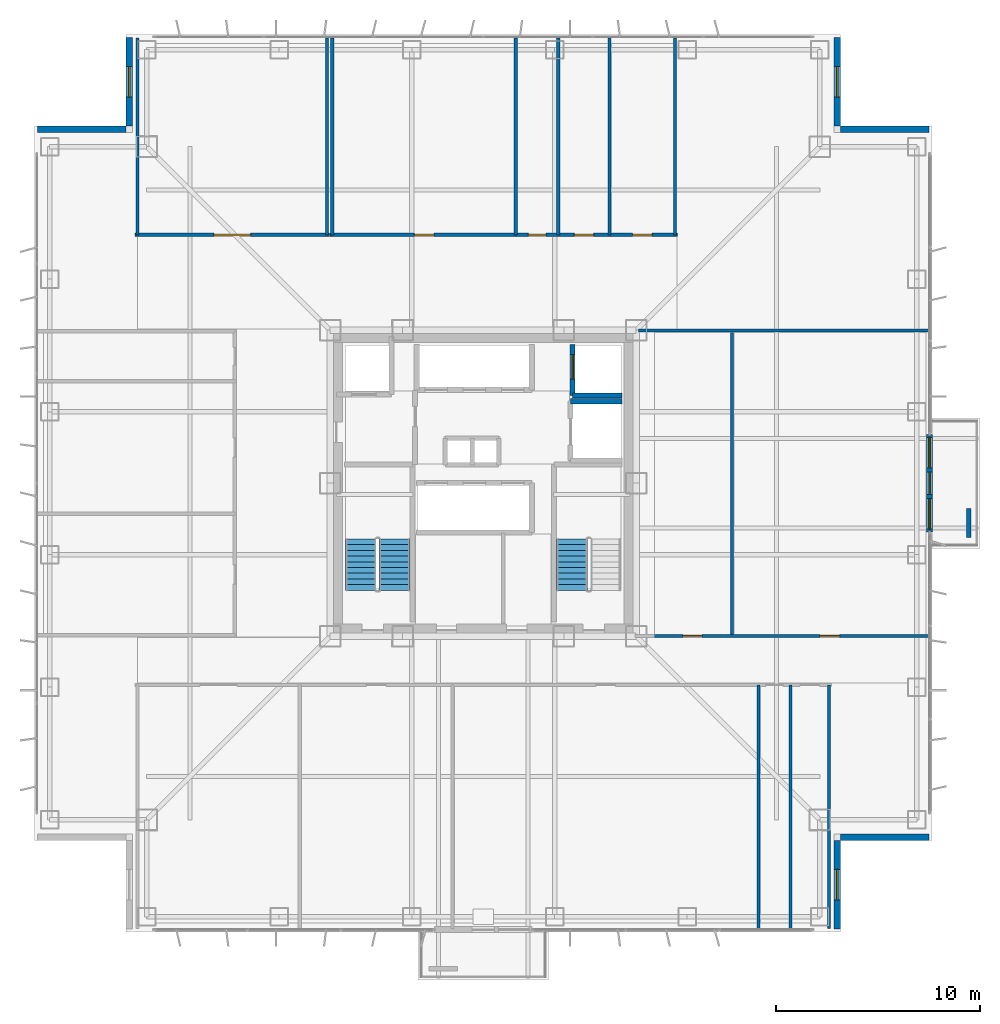
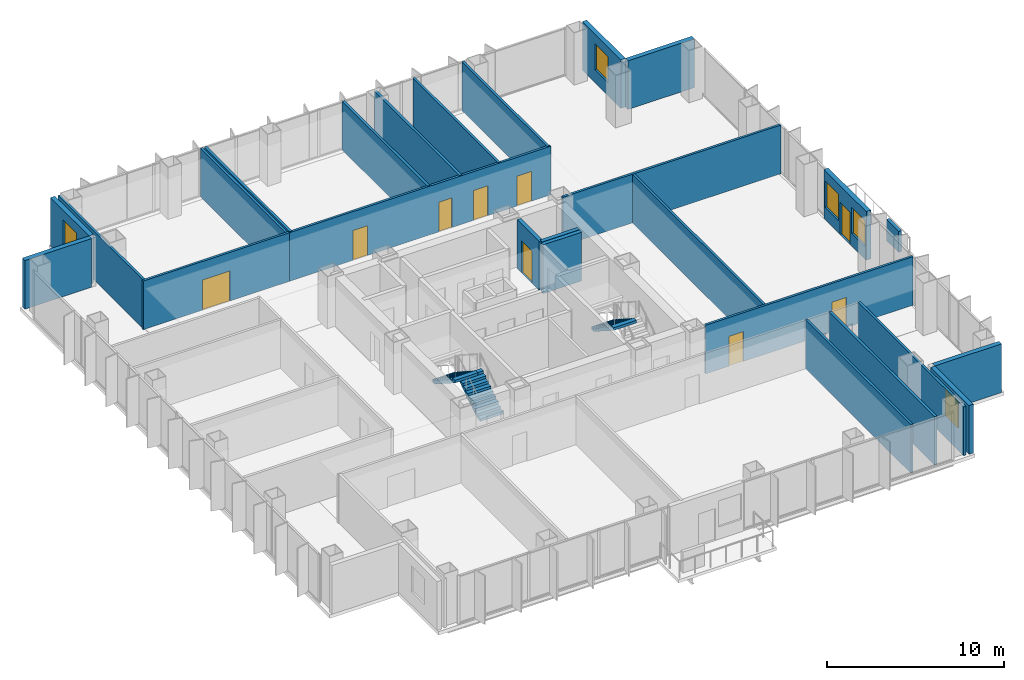
# One storey, part 14 of 18: 26 walls, 9 doors, 5 windows, 3 stair flights, 14 openings, 2 elements without a shape of their own.
"""IFC4 building model written with IfcOpenShell, lengths in metres."""

from ifc_helpers import new_model, si_unit, direction, frame, frame_2d, origin, place, context, subcontext, project, spatial, polyline, rectangle, outline, extrude, material, layer, layer_set, type_object, element, fill, aggregate, save


model = new_model("IFC4")

# Units and contexts
model_context = context("Model", 3, precision=1e-05, world=origin(), true_north=direction((0.0, 1.0)))
body_context = subcontext(model_context, "Body", "Model", "MODEL_VIEW")
ifc_project = project(units=[si_unit("LENGTHUNIT", "METRE"), si_unit("AREAUNIT", "SQUARE_METRE"), si_unit("VOLUMEUNIT", "CUBIC_METRE"), si_unit("PLANEANGLEUNIT", "RADIAN"), si_unit("MASSUNIT", "GRAM", prefix="KILO")], contexts=[model_context])

# Site, building, storey
site_placement = place(None, origin())
site = spatial("IfcSite", under=ifc_project, at=site_placement, CompositionType="ELEMENT")
building_placement = place(site_placement, origin())
building = spatial("IfcBuilding", under=site, at=building_placement, Name="Trevonay Congress Spire", CompositionType="ELEMENT")
storey_placement = place(building_placement, frame((0.0, 0.0, 104.800048828125)))
storey = spatial("IfcBuildingStorey", under=building, at=storey_placement, Name="L26", CompositionType="ELEMENT", Elevation=104.800048828125)

# Wall, opening, door
ifc_material_1 = material(Name="Concrete C40/50", Category="concrete")
ifc_layer_1 = layer(ifc_material_1, 0.14990234375, Name="Concrete C40/50")
ifc_layer_set_1 = layer_set([ifc_layer_1], Name="Concrete C40/50")
wall_type_1 = type_object("IfcWallType", Name="WAL-CORR-150", PredefinedType="PARTITIONING", material=ifc_layer_set_1)
wall_1_placement = place(storey_placement, frame((-17.070068359375, 12.179931640625, 0.0), z_axis=(0.0, 0.0, 1.0), x_axis=(1.0, 0.0, 0.0)))
wall_1 = element("IfcWall", 1, at=wall_1_placement, inside=storey, type_object=wall_type_1, Name="L26 interior wall WP-L26NW-COR", PredefinedType="PARTITIONING", context=body_context, shape_type="SweptSolid", body=[
    extrude(rectangle(XDim=9.5400390625, YDim=0.14990234375, at=frame_2d((4.77001953125, 0.0))), origin(), (0.0, 0.0, 1.0), 3.35986328125),
])
opening_1_placement = place(wall_1_placement, frame((3.8701171875, 0.0, 0.0)))
opening_1 = element("IfcOpeningElement", 2, at=opening_1_placement, cuts=wall_1, Name="Opening D09", PredefinedType="OPENING", context=body_context, shape_type="SweptSolid", body=[
    extrude(rectangle(XDim=1.800048828125, YDim=2.080078125, at=frame_2d((0.89990234375, 1.0400390625))), frame((0.0, 0.0849609375, 0.0), z_axis=(0.0, -1.0, 0.0), x_axis=(1.0, 0.0, 0.0)), (0.0, 0.0, 1.0), 0.169921875),
])
ifc_material_2 = material(Name="Pale Anodised Aluminium EN AW-6063-T6", Category="aluminium")
door_type_1 = type_object("IfcDoorType", Name="DOR-CONF-DBL", OperationType="DOUBLE_DOOR_SINGLE_SWING", PredefinedType="DOOR", material=ifc_material_2)
door_1_placement = place(opening_1_placement, origin())
door_1 = element("IfcDoor", 3, at=door_1_placement, inside=storey, type_object=door_type_1, Name="L26 Treaty Seminar Salon North-West Door", OperationType="DOUBLE_DOOR_SINGLE_SWING", OverallHeight=2.080078125, OverallWidth=1.800048828125, PredefinedType="DOOR", context=body_context, shape_type="SweptSolid", body=[
    extrude(rectangle(XDim=1.800048828125, YDim=2.080078125, at=frame_2d((0.89990234375, 1.0400390625))), frame((0.0, 0.02490234375, 0.0), z_axis=(0.0, -1.0, 0.0), x_axis=(1.0, 0.0, 0.0)), (0.0, 0.0, 1.0), 0.050048828125),
])
fill(opening_1, door_1)

# Wall, openings, doors
wall_2_placement = place(storey_placement, frame((-7.52001953125, 12.179931640625, 0.0), z_axis=(0.0, 0.0, 1.0), x_axis=(1.0, 0.0, 0.0)))
wall_2 = element("IfcWall", 4, at=wall_2_placement, inside=storey, type_object=wall_type_1, Name="L26 interior wall WP-L26NE-COR", PredefinedType="PARTITIONING", context=body_context, shape_type="SweptSolid", body=[
    extrude(rectangle(XDim=17.0400390625, YDim=0.14990234375, at=frame_2d((8.52001953125, 0.0))), origin(), (0.0, 0.0, 1.0), 3.35986328125),
])
opening_2_placement = place(wall_2_placement, frame((4.14501953125, 0.0, 0.0)))
opening_2 = element("IfcOpeningElement", 5, at=opening_2_placement, cuts=wall_2, Name="Opening D07", PredefinedType="OPENING", context=body_context, shape_type="SweptSolid", body=[
    extrude(rectangle(XDim=0.949951171875, YDim=2.06005859375, at=frame_2d((0.47509765625, 1.030029296875))), frame((0.0, 0.0849609375, 0.0), z_axis=(0.0, -1.0, 0.0), x_axis=(1.0, 0.0, 0.0)), (0.0, 0.0, 1.0), 0.169921875),
])
opening_3_placement = place(wall_2_placement, frame((9.735107421875, 0.0, 0.0)))
opening_3 = element("IfcOpeningElement", 6, at=opening_3_placement, cuts=wall_2, Name="Opening D10", PredefinedType="OPENING", context=body_context, shape_type="SweptSolid", body=[
    extrude(rectangle(XDim=0.85009765625, YDim=2.050048828125, at=frame_2d((0.425048828125, 1.02490234375))), frame((0.0, 0.0849609375, 0.0), z_axis=(0.0, -1.0, 0.0), x_axis=(1.0, 0.0, 0.0)), (0.0, 0.0, 1.0), 0.169921875),
])
opening_4_placement = place(wall_2_placement, frame((11.985107421875, 0.0, 0.0)))
opening_4 = element("IfcOpeningElement", 7, at=opening_4_placement, cuts=wall_2, Name="Opening D07", PredefinedType="OPENING", context=body_context, shape_type="SweptSolid", body=[
    extrude(rectangle(XDim=0.949951171875, YDim=2.06005859375, at=frame_2d((0.47509765625, 1.030029296875))), frame((0.0, 0.0849609375, 0.0), z_axis=(0.0, -1.0, 0.0), x_axis=(1.0, 0.0, 0.0)), (0.0, 0.0, 1.0), 0.169921875),
])
opening_5_placement = place(wall_2_placement, frame((14.844970703125, 0.0, 0.0)))
opening_5 = element("IfcOpeningElement", 8, at=opening_5_placement, cuts=wall_2, Name="Opening D07", PredefinedType="OPENING", context=body_context, shape_type="SweptSolid", body=[
    extrude(rectangle(XDim=0.949951171875, YDim=2.06005859375, at=frame_2d((0.47509765625, 1.030029296875))), frame((0.0, 0.0849609375, 0.0), z_axis=(0.0, -1.0, 0.0), x_axis=(1.0, 0.0, 0.0)), (0.0, 0.0, 1.0), 0.169921875),
])
door_type_2 = type_object("IfcDoorType", Name="DOR-OFFICE-95", OperationType="NOTDEFINED", PredefinedType="DOOR", material=ifc_material_2)
door_2_placement = place(opening_2_placement, origin())
door_2 = element("IfcDoor", 9, at=door_2_placement, inside=storey, type_object=door_type_2, Name="L26 North-East Policy Research Studio Door", OperationType="SINGLE_SWING_LEFT", OverallHeight=2.06005859375, OverallWidth=0.949951171875, PredefinedType="DOOR", context=body_context, shape_type="SweptSolid", body=[
    extrude(rectangle(XDim=0.949951171875, YDim=2.06005859375, at=frame_2d((0.47509765625, 1.030029296875))), frame((0.0, 0.02490234375, 0.0), z_axis=(0.0, -1.0, 0.0), x_axis=(1.0, 0.0, 0.0)), (0.0, 0.0, 1.0), 0.050048828125),
])
fill(opening_2, door_2)
door_3_placement = place(opening_4_placement, origin())
door_3 = element("IfcDoor", 10, at=door_3_placement, inside=storey, type_object=door_type_2, Name="L26 Floor Supplies and Copy Room Door", OperationType="SINGLE_SWING_LEFT", OverallHeight=2.06005859375, OverallWidth=0.949951171875, PredefinedType="DOOR", context=body_context, shape_type="SweptSolid", body=[
    extrude(rectangle(XDim=0.949951171875, YDim=2.06005859375, at=frame_2d((0.47509765625, 1.030029296875))), frame((0.0, 0.02490234375, 0.0), z_axis=(0.0, -1.0, 0.0), x_axis=(1.0, 0.0, 0.0)), (0.0, 0.0, 1.0), 0.050048828125),
])
fill(opening_4, door_3)
door_4_placement = place(opening_5_placement, origin())
door_4 = element("IfcDoor", 11, at=door_4_placement, inside=storey, type_object=door_type_2, Name="L26 Tea Pantry Door", OperationType="SINGLE_SWING_RIGHT", OverallHeight=2.06005859375, OverallWidth=0.949951171875, PredefinedType="DOOR", context=body_context, shape_type="SweptSolid", body=[
    extrude(rectangle(XDim=0.949951171875, YDim=2.06005859375, at=frame_2d((0.47509765625, 1.030029296875))), frame((0.0, 0.02490234375, 0.0), z_axis=(0.0, -1.0, 0.0), x_axis=(1.0, 0.0, 0.0)), (0.0, 0.0, 1.0), 0.050048828125),
])
fill(opening_5, door_4)
door_type_3 = type_object("IfcDoorType", Name="DOR-WC-85", OperationType="NOTDEFINED", PredefinedType="DOOR", material=ifc_material_2)
door_5_placement = place(opening_3_placement, origin())
door_5 = element("IfcDoor", 12, at=door_5_placement, inside=storey, type_object=door_type_3, Name="L26 Female Restroom WC Door", OperationType="SINGLE_SWING_RIGHT", OverallHeight=2.050048828125, OverallWidth=0.85009765625, PredefinedType="DOOR", context=body_context, shape_type="SweptSolid", body=[
    extrude(rectangle(XDim=0.85009765625, YDim=2.050048828125, at=frame_2d((0.425048828125, 1.02490234375))), frame((0.0, 0.02490234375, 0.0), z_axis=(0.0, -1.0, 0.0), x_axis=(1.0, 0.0, 0.0)), (0.0, 0.0, 1.0), 0.050048828125),
])
fill(opening_3, door_5)

wall_3_placement = place(storey_placement, frame((8.280029296875, -7.47998046875, 0.0), z_axis=(0.0, 0.0, 1.0), x_axis=(1.0, 0.0, 0.0)))
wall_3 = element("IfcWall", 13, at=wall_3_placement, inside=storey, type_object=wall_type_1, Name="L26 interior wall WP-L26E-COR", PredefinedType="PARTITIONING", context=body_context, shape_type="SweptSolid", body=[
    extrude(rectangle(XDim=13.5400390625, YDim=0.14990234375, at=frame_2d((6.77001953125, 0.0))), origin(), (0.0, 0.0, 1.0), 3.35986328125),
])
opening_6_placement = place(wall_3_placement, frame((1.5048828125, 0.0, 0.0)))
opening_6 = element("IfcOpeningElement", 14, at=opening_6_placement, cuts=wall_3, Name="Opening D07", PredefinedType="OPENING", context=body_context, shape_type="SweptSolid", body=[
    extrude(rectangle(XDim=0.949951171875, YDim=2.06005859375, at=frame_2d((0.47509765625, 1.030029296875))), frame((0.0, 0.0849609375, 0.0), z_axis=(0.0, -1.0, 0.0), x_axis=(1.0, 0.0, 0.0)), (0.0, 0.0, 1.0), 0.169921875),
])
opening_7_placement = place(wall_3_placement, frame((8.235107421875, 0.0, 0.0)))
opening_7 = element("IfcOpeningElement", 15, at=opening_7_placement, cuts=wall_3, Name="Opening D07", PredefinedType="OPENING", context=body_context, shape_type="SweptSolid", body=[
    extrude(rectangle(XDim=0.949951171875, YDim=2.06005859375, at=frame_2d((0.47509765625, 1.030029296875))), frame((0.0, 0.0849609375, 0.0), z_axis=(0.0, -1.0, 0.0), x_axis=(1.0, 0.0, 0.0)), (0.0, 0.0, 1.0), 0.169921875),
])
door_6_placement = place(opening_6_placement, origin())
door_6 = element("IfcDoor", 16, at=door_6_placement, inside=storey, type_object=door_type_2, Name="L26 East Briefing Office Door", OperationType="SINGLE_SWING_LEFT", OverallHeight=2.06005859375, OverallWidth=0.949951171875, PredefinedType="DOOR", context=body_context, shape_type="SweptSolid", body=[
    extrude(rectangle(XDim=0.949951171875, YDim=2.06005859375, at=frame_2d((0.47509765625, 1.030029296875))), frame((0.0, 0.02490234375, 0.0), z_axis=(0.0, -1.0, 0.0), x_axis=(1.0, 0.0, 0.0)), (0.0, 0.0, 1.0), 0.050048828125),
])
fill(opening_6, door_6)
door_7_placement = place(opening_7_placement, origin())
door_7 = element("IfcDoor", 17, at=door_7_placement, inside=storey, type_object=door_type_2, Name="L26 Archive Copy Room Door", OperationType="SINGLE_SWING_RIGHT", OverallHeight=2.06005859375, OverallWidth=0.949951171875, PredefinedType="DOOR", context=body_context, shape_type="SweptSolid", body=[
    extrude(rectangle(XDim=0.949951171875, YDim=2.06005859375, at=frame_2d((0.47509765625, 1.030029296875))), frame((0.0, 0.02490234375, 0.0), z_axis=(0.0, -1.0, 0.0), x_axis=(1.0, 0.0, 0.0)), (0.0, 0.0, 1.0), 0.050048828125),
])
fill(opening_7, door_7)

# Wall, openings, door, windows
ifc_material_3 = material(Name="Precast concrete C40/50", Category="concrete")
ifc_layer_2 = layer(ifc_material_3, 0.300048828125, Name="Precast concrete C40/50")
ifc_layer_set_2 = layer_set([ifc_layer_2], Name="Precast concrete C40/50")
wall_type_2 = type_object("IfcWallType", Name="WAL-EXT-PRECAST-300", PredefinedType="SOLIDWALL", material=ifc_layer_set_2)
wall_4_placement = place(storey_placement, frame((21.8798828125, -2.39990234375, 0.0), z_axis=(0.0, 0.0, 1.0), x_axis=(0.0, 1.0, 0.0)))
wall_4 = element("IfcWall", 18, at=wall_4_placement, inside=storey, type_object=wall_type_2, Name="L26 E glazed balcony portal exterior wall", PredefinedType="SOLIDWALL", context=body_context, shape_type="SweptSolid", body=[
    extrude(rectangle(XDim=4.7998046875, YDim=0.300048828125, at=frame_2d((2.39990234375, 0.0))), origin(), (0.0, 0.0, 1.0), 3.35986328125),
])
opening_8_placement = place(wall_4_placement, frame((1.85009765625, 0.0, 0.0)))
opening_8 = element("IfcOpeningElement", 19, at=opening_8_placement, cuts=wall_4, Name="Opening D03", PredefinedType="OPENING", context=body_context, shape_type="SweptSolid", body=[
    extrude(rectangle(XDim=1.10009765625, YDim=2.199951171875, at=frame_2d((0.550048828125, 1.10009765625))), frame((0.0, 0.16015625, 0.0), z_axis=(0.0, -1.0, 0.0), x_axis=(1.0, 0.0, 0.0)), (0.0, 0.0, 1.0), 0.320068359375),
])
opening_9_placement = place(wall_4_placement, frame((0.14990234375, 0.0, 0.85009765625)))
opening_9 = element("IfcOpeningElement", 20, at=opening_9_placement, cuts=wall_4, Name="Opening WN03", PredefinedType="OPENING", context=body_context, shape_type="SweptSolid", body=[
    extrude(rectangle(XDim=1.5, YDim=1.800048828125, at=frame_2d((0.75, 0.89990234375))), frame((0.0, 0.16015625, 0.0), z_axis=(0.0, -1.0, 0.0), x_axis=(1.0, 0.0, 0.0)), (0.0, 0.0, 1.0), 0.320068359375),
])
opening_10_placement = place(wall_4_placement, frame((3.14990234375, 0.0, 0.85009765625)))
opening_10 = element("IfcOpeningElement", 21, at=opening_10_placement, cuts=wall_4, Name="Opening WN03", PredefinedType="OPENING", context=body_context, shape_type="SweptSolid", body=[
    extrude(rectangle(XDim=1.5, YDim=1.800048828125, at=frame_2d((0.75, 0.89990234375))), frame((0.0, 0.16015625, 0.0), z_axis=(0.0, -1.0, 0.0), x_axis=(1.0, 0.0, 0.0)), (0.0, 0.0, 1.0), 0.320068359375),
])
door_type_4 = type_object("IfcDoorType", Name="DOR-EXT-BAL-110", OperationType="NOTDEFINED", PredefinedType="DOOR", material=ifc_material_2)
door_8_placement = place(opening_8_placement, origin())
door_8 = element("IfcDoor", 22, at=door_8_placement, inside=storey, type_object=door_type_4, Name="L26 E glazed outdoor terrace and balcony door", OperationType="SINGLE_SWING_RIGHT", OverallHeight=2.199951171875, OverallWidth=1.10009765625, PredefinedType="DOOR", context=body_context, shape_type="SweptSolid", body=[
    extrude(rectangle(XDim=1.10009765625, YDim=2.199951171875, at=frame_2d((0.550048828125, 1.10009765625))), frame((0.0, 0.02490234375, 0.0), z_axis=(0.0, -1.0, 0.0), x_axis=(1.0, 0.0, 0.0)), (0.0, 0.0, 1.0), 0.050048828125),
])
fill(opening_8, door_8)
ifc_material_4 = material(Name="Insulated Low-E Vision Glass IGU", Category="glass")
window_type = type_object("IfcWindowType", Name="WIN-NOTCH-150X180", PartitioningType="SINGLE_PANEL", PredefinedType="WINDOW", material=ifc_material_4)
window_1_placement = place(opening_9_placement, origin())
window_1 = element("IfcWindow", 23, at=window_1_placement, inside=storey, type_object=window_type, Name="L26 E balcony sidelight window L", OverallHeight=1.800048828125, OverallWidth=1.5, PartitioningType="SINGLE_PANEL", PredefinedType="WINDOW", context=body_context, shape_type="SweptSolid", body=[
    extrude(rectangle(XDim=1.5, YDim=1.800048828125, at=frame_2d((0.75, 0.89990234375))), frame((0.0, 0.030029296875, 0.0), z_axis=(0.0, -1.0, 0.0), x_axis=(1.0, 0.0, 0.0)), (0.0, 0.0, 1.0), 0.06005859375),
])
fill(opening_9, window_1)
window_2_placement = place(opening_10_placement, origin())
window_2 = element("IfcWindow", 24, at=window_2_placement, inside=storey, type_object=window_type, Name="L26 E balcony sidelight window R", OverallHeight=1.800048828125, OverallWidth=1.5, PartitioningType="SINGLE_PANEL", PredefinedType="WINDOW", context=body_context, shape_type="SweptSolid", body=[
    extrude(rectangle(XDim=1.5, YDim=1.800048828125, at=frame_2d((0.75, 0.89990234375))), frame((0.0, 0.030029296875, 0.0), z_axis=(0.0, -1.0, 0.0), x_axis=(1.0, 0.0, 0.0)), (0.0, 0.0, 1.0), 0.06005859375),
])
fill(opening_10, window_2)

# Wall, opening, window
wall_5_placement = place(storey_placement, frame((17.35009765625, -21.85009765625, 0.0), z_axis=(0.0, 0.0, 1.0), x_axis=(0.0, 1.0, 0.0)))
wall_5 = element("IfcWall", 25, at=wall_5_placement, inside=storey, type_object=wall_type_2, Name="L26 SE re-entrant notch exterior wall 1", PredefinedType="SOLIDWALL", context=body_context, shape_type="SweptSolid", body=[
    extrude(rectangle(XDim=4.35009765625, YDim=0.300048828125, at=frame_2d((2.175048828125, 0.0))), origin(), (0.0, 0.0, 1.0), 3.35986328125),
])
opening_11_placement = place(wall_5_placement, frame((1.425048828125, 0.0, 0.89990234375)))
opening_11 = element("IfcOpeningElement", 26, at=opening_11_placement, cuts=wall_5, Name="Opening WN03", PredefinedType="OPENING", context=body_context, shape_type="SweptSolid", body=[
    extrude(rectangle(XDim=1.5, YDim=1.800048828125, at=frame_2d((0.75, 0.89990234375))), frame((0.0, 0.16015625, 0.0), z_axis=(0.0, -1.0, 0.0), x_axis=(1.0, 0.0, 0.0)), (0.0, 0.0, 1.0), 0.320068359375),
])
window_3_placement = place(opening_11_placement, origin())
window_3 = element("IfcWindow", 27, at=window_3_placement, inside=storey, type_object=window_type, Name="L26 SE corner notch window", OverallHeight=1.800048828125, OverallWidth=1.5, PartitioningType="SINGLE_PANEL", PredefinedType="WINDOW", context=body_context, shape_type="SweptSolid", body=[
    extrude(rectangle(XDim=1.5, YDim=1.800048828125, at=frame_2d((0.75, 0.89990234375))), frame((0.0, 0.030029296875, 0.0), z_axis=(0.0, -1.0, 0.0), x_axis=(1.0, 0.0, 0.0)), (0.0, 0.0, 1.0), 0.06005859375),
])
fill(opening_11, window_3)

# Wall
wall_6_placement = place(storey_placement, frame((21.85009765625, -17.35009765625, 0.0), z_axis=(0.0, 0.0, 1.0), x_axis=(-1.0, 0.0, 0.0)))
element("IfcWall", 28, at=wall_6_placement, inside=storey, type_object=wall_type_2, Name="L26 SE re-entrant notch exterior wall 2", PredefinedType="SOLIDWALL", context=body_context, shape_type="SweptSolid", body=[
    extrude(rectangle(XDim=4.35009765625, YDim=0.300048828125, at=frame_2d((2.175048828125, 0.0))), origin(), (0.0, 0.0, 1.0), 3.35986328125),
])

# Wall, opening, window
wall_7_placement = place(storey_placement, frame((17.35009765625, 21.85009765625, 0.0), z_axis=(0.0, 0.0, 1.0), x_axis=(0.0, -1.0, 0.0)))
wall_7 = element("IfcWall", 29, at=wall_7_placement, inside=storey, type_object=wall_type_2, Name="L26 NE re-entrant notch exterior wall 1", PredefinedType="SOLIDWALL", context=body_context, shape_type="SweptSolid", body=[
    extrude(rectangle(XDim=4.35009765625, YDim=0.300048828125, at=frame_2d((2.175048828125, 0.0))), origin(), (0.0, 0.0, 1.0), 3.35986328125),
])
opening_12_placement = place(wall_7_placement, frame((1.425048828125, 0.0, 0.89990234375)))
opening_12 = element("IfcOpeningElement", 30, at=opening_12_placement, cuts=wall_7, Name="Opening WN03", PredefinedType="OPENING", context=body_context, shape_type="SweptSolid", body=[
    extrude(rectangle(XDim=1.5, YDim=1.800048828125, at=frame_2d((0.75, 0.89990234375))), frame((0.0, 0.16015625, 0.0), z_axis=(0.0, -1.0, 0.0), x_axis=(1.0, 0.0, 0.0)), (0.0, 0.0, 1.0), 0.320068359375),
])
window_4_placement = place(opening_12_placement, origin())
window_4 = element("IfcWindow", 31, at=window_4_placement, inside=storey, type_object=window_type, Name="L26 NE corner notch window", OverallHeight=1.800048828125, OverallWidth=1.5, PartitioningType="SINGLE_PANEL", PredefinedType="WINDOW", context=body_context, shape_type="SweptSolid", body=[
    extrude(rectangle(XDim=1.5, YDim=1.800048828125, at=frame_2d((0.75, 0.89990234375))), frame((0.0, 0.030029296875, 0.0), z_axis=(0.0, -1.0, 0.0), x_axis=(1.0, 0.0, 0.0)), (0.0, 0.0, 1.0), 0.06005859375),
])
fill(opening_12, window_4)

# Wall
wall_8_placement = place(storey_placement, frame((21.85009765625, 17.35009765625, 0.0), z_axis=(0.0, 0.0, 1.0), x_axis=(-1.0, 0.0, 0.0)))
element("IfcWall", 32, at=wall_8_placement, inside=storey, type_object=wall_type_2, Name="L26 NE re-entrant notch exterior wall 2", PredefinedType="SOLIDWALL", context=body_context, shape_type="SweptSolid", body=[
    extrude(rectangle(XDim=4.35009765625, YDim=0.300048828125, at=frame_2d((2.175048828125, 0.0))), origin(), (0.0, 0.0, 1.0), 3.35986328125),
])

# Wall, opening, window
wall_9_placement = place(storey_placement, frame((-17.35009765625, 21.85009765625, 0.0), z_axis=(0.0, 0.0, 1.0), x_axis=(0.0, -1.0, 0.0)))
wall_9 = element("IfcWall", 33, at=wall_9_placement, inside=storey, type_object=wall_type_2, Name="L26 NW re-entrant notch exterior wall 1", PredefinedType="SOLIDWALL", context=body_context, shape_type="SweptSolid", body=[
    extrude(rectangle(XDim=4.35009765625, YDim=0.300048828125, at=frame_2d((2.175048828125, 0.0))), origin(), (0.0, 0.0, 1.0), 3.35986328125),
])
opening_13_placement = place(wall_9_placement, frame((1.425048828125, 0.0, 0.89990234375)))
opening_13 = element("IfcOpeningElement", 34, at=opening_13_placement, cuts=wall_9, Name="Opening WN03", PredefinedType="OPENING", context=body_context, shape_type="SweptSolid", body=[
    extrude(rectangle(XDim=1.5, YDim=1.800048828125, at=frame_2d((0.75, 0.89990234375))), frame((0.0, 0.16015625, 0.0), z_axis=(0.0, -1.0, 0.0), x_axis=(1.0, 0.0, 0.0)), (0.0, 0.0, 1.0), 0.320068359375),
])
window_5_placement = place(opening_13_placement, origin())
window_5 = element("IfcWindow", 35, at=window_5_placement, inside=storey, type_object=window_type, Name="L26 NW corner notch window", OverallHeight=1.800048828125, OverallWidth=1.5, PartitioningType="SINGLE_PANEL", PredefinedType="WINDOW", context=body_context, shape_type="SweptSolid", body=[
    extrude(rectangle(XDim=1.5, YDim=1.800048828125, at=frame_2d((0.75, 0.89990234375))), frame((0.0, 0.030029296875, 0.0), z_axis=(0.0, -1.0, 0.0), x_axis=(1.0, 0.0, 0.0)), (0.0, 0.0, 1.0), 0.06005859375),
])
fill(opening_13, window_5)

# Walls
wall_10_placement = place(storey_placement, frame((-21.85009765625, 17.35009765625, 0.0), z_axis=(0.0, 0.0, 1.0), x_axis=(1.0, 0.0, 0.0)))
element("IfcWall", 36, at=wall_10_placement, inside=storey, type_object=wall_type_2, Name="L26 NW re-entrant notch exterior wall 2", PredefinedType="SOLIDWALL", context=body_context, shape_type="SweptSolid", body=[
    extrude(rectangle(XDim=4.35009765625, YDim=0.300048828125, at=frame_2d((2.175048828125, 0.0))), origin(), (0.0, 0.0, 1.0), 3.35986328125),
])
ifc_layer_3 = layer(ifc_material_1, 0.14990234375, Name="Concrete C40/50")
ifc_layer_set_3 = layer_set([ifc_layer_3], Name="Concrete C40/50")
wall_type_3 = type_object("IfcWallType", Name="WAL-PART-150", PredefinedType="PARTITIONING", material=ifc_layer_set_3)
for number, where, z_axis, x_axis, name in (
    (37, (13.5, -21.820068359375, 0.0), (0.0, 0.0, 1.0), (0.0, 1.0, 0.0), "L26 interior wall WP-L26S-DIV4"),
    (38, (16.949951171875, -21.820068359375, 0.0), (0.0, 0.0, 1.0), (0.0, 1.0, 0.0), "L26 interior wall WP-L26S-DIV5"),
):
    element("IfcWall", number, at=place(storey_placement, frame(where, z_axis=z_axis, x_axis=x_axis)), inside=storey, type_object=wall_type_3, Name=name, PredefinedType="PARTITIONING", context=body_context, shape_type="SweptSolid", body=[
        extrude(rectangle(XDim=11.940185546875, YDim=0.14990234375, at=frame_2d((5.97021484375, 0.0))), origin(), (0.0, 0.0, 1.0), 3.35986328125),
    ])
for number, where, z_axis, x_axis, name in (
    (39, (-16.949951171875, 12.179931640625, 0.0), (0.0, 0.0, 1.0), (0.0, 1.0, 0.0), "L26 interior wall WP-L26NW-DIV1"),
    (40, (-7.64990234375, 12.179931640625, 0.0), (0.0, 0.0, 1.0), (0.0, 1.0, 0.0), "L26 interior wall WP-L26NW-DIV2"),
    (41, (6.199951171875, 12.179931640625, 0.0), (0.0, 0.0, 1.0), (0.0, 1.0, 0.0), "L26 interior wall WP-L26NE-DIV3"),
    (42, (9.39990234375, 12.179931640625, 0.0), (0.0, 0.0, 1.0), (0.0, 1.0, 0.0), "L26 interior wall WP-L26NE-DIV4"),
):
    element("IfcWall", number, at=place(storey_placement, frame(where, z_axis=z_axis, x_axis=x_axis)), inside=storey, type_object=wall_type_3, Name=name, PredefinedType="PARTITIONING", context=body_context, shape_type="SweptSolid", body=[
        extrude(rectangle(XDim=9.64013671875, YDim=0.14990234375, at=frame_2d((4.820068359375, 0.0))), origin(), (0.0, 0.0, 1.0), 3.35986328125),
    ])
wall_11_placement = place(storey_placement, frame((12.199951171875, -7.47998046875, 0.0), z_axis=(0.0, 0.0, 1.0), x_axis=(0.0, 1.0, 0.0)))
element("IfcWall", 43, at=wall_11_placement, inside=storey, type_object=wall_type_3, Name="L26 interior wall WP-L26E-DIV1", PredefinedType="PARTITIONING", context=body_context, shape_type="SweptSolid", body=[
    extrude(rectangle(XDim=14.8798828125, YDim=0.14990234375, at=frame_2d((7.43994140625, 0.0))), origin(), (0.0, 0.0, 1.0), 3.35986328125),
])
wall_12_placement = place(storey_placement, frame((7.60009765625, 7.47998046875, 0.0), z_axis=(0.0, 0.0, 1.0), x_axis=(1.0, 0.0, 0.0)))
element("IfcWall", 44, at=wall_12_placement, inside=storey, type_object=wall_type_3, Name="L26 interior wall WP-L26E-NCLS", PredefinedType="PARTITIONING", context=body_context, shape_type="SweptSolid", body=[
    extrude(rectangle(XDim=14.219970703125, YDim=0.14990234375, at=frame_2d((7.10986328125, 0.0))), origin(), (0.0, 0.0, 1.0), 3.35986328125),
])
ifc_layer_4 = layer(ifc_material_1, 0.25, Name="Concrete C40/50")
ifc_layer_set_4 = layer_set([ifc_layer_4], Name="Concrete C40/50")
wall_type_4 = type_object("IfcWallType", Name="WAL-SHAFT-250", PredefinedType="SHEAR", material=ifc_layer_set_4)
wall_13_placement = place(storey_placement, frame((4.3798828125, 4.300048828125, 0.0), z_axis=(0.0, 0.0, 1.0), x_axis=(1.0, 0.0, 0.0)))
element("IfcWall", 45, at=wall_13_placement, inside=storey, type_object=wall_type_4, Name="L26 interior shaft wall WSH-L26-FF2-S", PredefinedType="SHEAR", context=body_context, shape_type="SweptSolid", body=[
    extrude(rectangle(XDim=2.420166015625, YDim=0.25, at=frame_2d((1.2099609375, 0.0))), origin(), (0.0, 0.0, 1.0), 3.35986328125),
])

# Wall, opening, door
wall_14_placement = place(storey_placement, frame((4.3798828125, 4.300048828125, 0.0), z_axis=(0.0, 0.0, 1.0), x_axis=(0.0, 1.0, 0.0)))
wall_14 = element("IfcWall", 46, at=wall_14_placement, inside=storey, type_object=wall_type_4, Name="L26 interior shaft wall WSH-L26-FF2-W", PredefinedType="SHEAR", context=body_context, shape_type="SweptSolid", body=[
    extrude(rectangle(XDim=2.5, YDim=0.25, at=frame_2d((1.25, 0.0))), origin(), (0.0, 0.0, 1.0), 3.35986328125),
])
opening_14_placement = place(wall_14_placement, frame((0.800048828125, 0.0, 0.0)))
opening_14 = element("IfcOpeningElement", 47, at=opening_14_placement, cuts=wall_14, Name="Opening LD04", PredefinedType="OPENING", context=body_context, shape_type="SweptSolid", body=[
    extrude(rectangle(XDim=1.199951171875, YDim=2.199951171875, at=frame_2d((0.60009765625, 1.10009765625))), frame((0.0, 0.135009765625, 0.0), z_axis=(0.0, -1.0, 0.0), x_axis=(1.0, 0.0, 0.0)), (0.0, 0.0, 1.0), 0.27001953125),
])
ifc_material_5 = material(Name="Steel ASTM A572 Grade 50", Category="steel")
door_type_5 = type_object("IfcDoorType", Name="DOR-LIFT-LD04", OperationType="DOUBLE_DOOR_SLIDING", PredefinedType="DOOR", material=ifc_material_5)
door_9_placement = place(opening_14_placement, origin())
door_9 = element("IfcDoor", 48, at=door_9_placement, inside=storey, type_object=door_type_5, Name="L26 Firefighting lift FFL-02 landing door", OperationType="DOUBLE_DOOR_SLIDING", OverallHeight=2.199951171875, OverallWidth=1.199951171875, PredefinedType="DOOR", context=body_context, shape_type="SweptSolid", body=[
    extrude(rectangle(XDim=1.199951171875, YDim=2.199951171875, at=frame_2d((0.60009765625, 1.10009765625))), frame((0.0, 0.02490234375, 0.0), z_axis=(0.0, -1.0, 0.0), x_axis=(1.0, 0.0, 0.0)), (0.0, 0.0, 1.0), 0.050048828125),
])
fill(opening_14, door_9)

# Walls
wall_15_placement = place(storey_placement, frame((4.280029296875, 4.02001953125, 0.0), z_axis=(0.0, 0.0, 1.0), x_axis=(1.0, 0.0, 0.0)))
element("IfcWall", 49, at=wall_15_placement, inside=storey, type_object=wall_type_4, Name="L26 interior shaft wall WSH-L26-SV-N", PredefinedType="SHEAR", context=body_context, shape_type="SweptSolid", body=[
    extrude(rectangle(XDim=2.52001953125, YDim=0.25, at=frame_2d((1.260009765625, 0.0))), origin(), (0.0, 0.0, 1.0), 3.35986328125),
])
ifc_layer_5 = layer(ifc_material_3, 0.199951171875, Name="Precast concrete C40/50")
ifc_layer_set_5 = layer_set([ifc_layer_5], Name="Precast concrete C40/50")
wall_type_5 = type_object("IfcWallType", Name="WAL-TREE-PLANTER-200", PredefinedType="PARAPET", material=ifc_layer_set_5)
wall_16_placement = place(storey_placement, frame((23.800048828125, -2.64990234375, 0.0), z_axis=(0.0, 0.0, 1.0), x_axis=(0.0, 1.0, 0.0)))
element("IfcWall", 50, at=wall_16_placement, inside=storey, type_object=wall_type_5, Name="L26 E cantilevered balcony tree planter box", PredefinedType="PARAPET", context=body_context, shape_type="SweptSolid", body=[
    extrude(rectangle(XDim=1.39990234375, YDim=0.199951171875, at=frame_2d((0.699951171875, 0.0))), origin(), (0.0, 0.0, 1.0), 1.449951171875),
])
ifc_layer_6 = layer(ifc_material_1, 0.1650390625, Name="Concrete C40/50")
ifc_layer_set_6 = layer_set([ifc_layer_6], Name="Concrete C40/50")
wall_type_6 = type_object("IfcWallType", Name="WAL-WET-165", PredefinedType="PLUMBINGWALL", material=ifc_layer_set_6)
wall_17_placement = place(storey_placement, frame((15.06005859375, -21.820068359375, 0.0), z_axis=(0.0, 0.0, 1.0), x_axis=(0.0, 1.0, 0.0)))
element("IfcWall", 51, at=wall_17_placement, inside=storey, type_object=wall_type_6, Name="L26 interior wall WP-L26S-WCS4", PredefinedType="PLUMBINGWALL", context=body_context, shape_type="SweptSolid", body=[
    extrude(rectangle(XDim=11.940185546875, YDim=0.1650390625, at=frame_2d((5.97021484375, 0.0))), origin(), (0.0, 0.0, 1.0), 3.35986328125),
])
for number, where, z_axis, x_axis, name in (
    (52, (3.679931640625, 12.179931640625, 0.0), (0.0, 0.0, 1.0), (0.0, 1.0, 0.0), "L26 interior wall WP-L26NE-WCS2"),
    (53, (-7.39990234375, 12.179931640625, 0.0), (0.0, 0.0, 1.0), (0.0, 1.0, 0.0), "L26 interior wall WP-L26NE-DIV1"),
    (54, (1.60009765625, 12.179931640625, 0.0), (0.0, 0.0, 1.0), (0.0, 1.0, 0.0), "L26 interior wall WP-L26NE-DIV2"),
):
    element("IfcWall", number, at=place(storey_placement, frame(where, z_axis=z_axis, x_axis=x_axis)), inside=storey, type_object=wall_type_6, Name=name, PredefinedType="PLUMBINGWALL", context=body_context, shape_type="SweptSolid", body=[
        extrude(rectangle(XDim=9.64013671875, YDim=0.1650390625, at=frame_2d((4.820068359375, 0.0))), origin(), (0.0, 0.0, 1.0), 3.35986328125),
    ])

# Stair, stair flights
stair_type_1 = type_object("IfcStairType", Name="STR-ST-1", PredefinedType="HALF_TURN_STAIR", material=ifc_material_1)
stair_1_placement = place(storey_placement, origin())
stair_1 = element("IfcStair", 55, at=stair_1_placement, inside=storey, type_object=stair_type_1, Name="L26 Protected Exit Stair ST-1", PredefinedType="HALF_TURN_STAIR")
stair_flight_type_1 = type_object("IfcStairFlightType", Name="SFL-ST-1", PredefinedType="STRAIGHT", material=ifc_material_1)
stair_flight_1_placement = place(storey_placement, frame((-4.35009765625, -5.25, 0.0), z_axis=(0.0, 0.0, 1.0), x_axis=(0.0, 1.0, 0.0)))
stair_flight_1 = element("IfcStairFlight", 56, at=stair_flight_1_placement, type_object=stair_flight_type_1, Name="ST-1 flight 1", NumberOfRisers=10, NumberOfTreads=9, PredefinedType="STRAIGHT", RiserHeight=0.18, TreadLength=0.28, context=body_context, shape_type="SweptSolid", body=[
    extrude(outline(polyline([(0.0, 0.0), (0.0, 0.179931640625), (0.280029296875, 0.179931640625), (0.280029296875, 0.360107421875), (0.56005859375, 0.360107421875), (0.56005859375, 0.5400390625), (0.840087890625, 0.5400390625), (0.840087890625, 0.719970703125), (1.1201171875, 0.719970703125), (1.1201171875, 0.89990234375), (1.39990234375, 0.89990234375), (1.39990234375, 1.080078125), (1.679931640625, 1.080078125), (1.679931640625, 1.260009765625), (1.9599609375, 1.260009765625), (1.9599609375, 1.43994140625), (2.239990234375, 1.43994140625), (2.239990234375, 1.6201171875), (2.52001953125, 1.6201171875), (2.52001953125, 1.800048828125), (2.52001953125, 1.44189453125), (0.277099609375, 0.0), (0.0, 0.0)])), frame((0.0, 0.75, 0.0), z_axis=(0.0, -1.0, 0.0), x_axis=(1.0, 0.0, 0.0)), (0.0, 0.0, 1.0), 1.5),
])
stair_flight_2_placement = place(storey_placement, frame((-6.0, -2.72998046875, 1.800048828125), z_axis=(0.0, 0.0, 1.0), x_axis=(0.0, -1.0, 0.0)))
stair_flight_2 = element("IfcStairFlight", 57, at=stair_flight_2_placement, type_object=stair_flight_type_1, Name="ST-1 flight 2", NumberOfRisers=10, NumberOfTreads=9, PredefinedType="STRAIGHT", RiserHeight=0.18, TreadLength=0.28, context=body_context, shape_type="SweptSolid", body=[
    extrude(outline(polyline([(0.0, 0.0), (0.0, 0.179931640625), (0.280029296875, 0.179931640625), (0.280029296875, 0.360107421875), (0.56005859375, 0.360107421875), (0.56005859375, 0.5400390625), (0.840087890625, 0.5400390625), (0.840087890625, 0.719970703125), (1.1201171875, 0.719970703125), (1.1201171875, 0.89990234375), (1.39990234375, 0.89990234375), (1.39990234375, 1.080078125), (1.679931640625, 1.080078125), (1.679931640625, 1.260009765625), (1.9599609375, 1.260009765625), (1.9599609375, 1.43994140625), (2.239990234375, 1.43994140625), (2.239990234375, 1.6201171875), (2.52001953125, 1.6201171875), (2.52001953125, 1.800048828125), (2.52001953125, 1.44189453125), (0.277099609375, 0.0), (0.0, 0.0)])), frame((0.0, 0.75, 0.0), z_axis=(0.0, -1.0, 0.0), x_axis=(1.0, 0.0, 0.0)), (0.0, 0.0, 1.0), 1.5),
])
aggregate(stair_1, [stair_flight_1, stair_flight_2])

# Stair, stair flight
stair_type_2 = type_object("IfcStairType", Name="STR-ST-2", PredefinedType="HALF_TURN_STAIR", material=ifc_material_1)
stair_2_placement = place(storey_placement, origin())
stair_2 = element("IfcStair", 58, at=stair_2_placement, inside=storey, type_object=stair_type_2, Name="L26 Protected Exit Stair ST-2", PredefinedType="HALF_TURN_STAIR")
stair_flight_type_2 = type_object("IfcStairFlightType", Name="SFL-ST-2", PredefinedType="STRAIGHT", material=ifc_material_1)
stair_flight_3_placement = place(storey_placement, frame((4.35009765625, -2.72998046875, 1.800048828125), z_axis=(0.0, 0.0, 1.0), x_axis=(0.0, -1.0, 0.0)))
stair_flight_3 = element("IfcStairFlight", 59, at=stair_flight_3_placement, type_object=stair_flight_type_2, Name="ST-2 flight 2", NumberOfRisers=10, NumberOfTreads=9, PredefinedType="STRAIGHT", RiserHeight=0.18, TreadLength=0.28, context=body_context, shape_type="SweptSolid", body=[
    extrude(outline(polyline([(0.0, 0.0), (0.0, 0.179931640625), (0.280029296875, 0.179931640625), (0.280029296875, 0.360107421875), (0.56005859375, 0.360107421875), (0.56005859375, 0.5400390625), (0.840087890625, 0.5400390625), (0.840087890625, 0.719970703125), (1.1201171875, 0.719970703125), (1.1201171875, 0.89990234375), (1.39990234375, 0.89990234375), (1.39990234375, 1.080078125), (1.679931640625, 1.080078125), (1.679931640625, 1.260009765625), (1.9599609375, 1.260009765625), (1.9599609375, 1.43994140625), (2.239990234375, 1.43994140625), (2.239990234375, 1.6201171875), (2.52001953125, 1.6201171875), (2.52001953125, 1.800048828125), (2.52001953125, 1.44189453125), (0.277099609375, 0.0), (0.0, 0.0)])), frame((0.0, 0.75, 0.0), z_axis=(0.0, -1.0, 0.0), x_axis=(1.0, 0.0, 0.0)), (0.0, 0.0, 1.0), 1.5),
])
aggregate(stair_2, [stair_flight_3])

save(model, "model.ifc")
